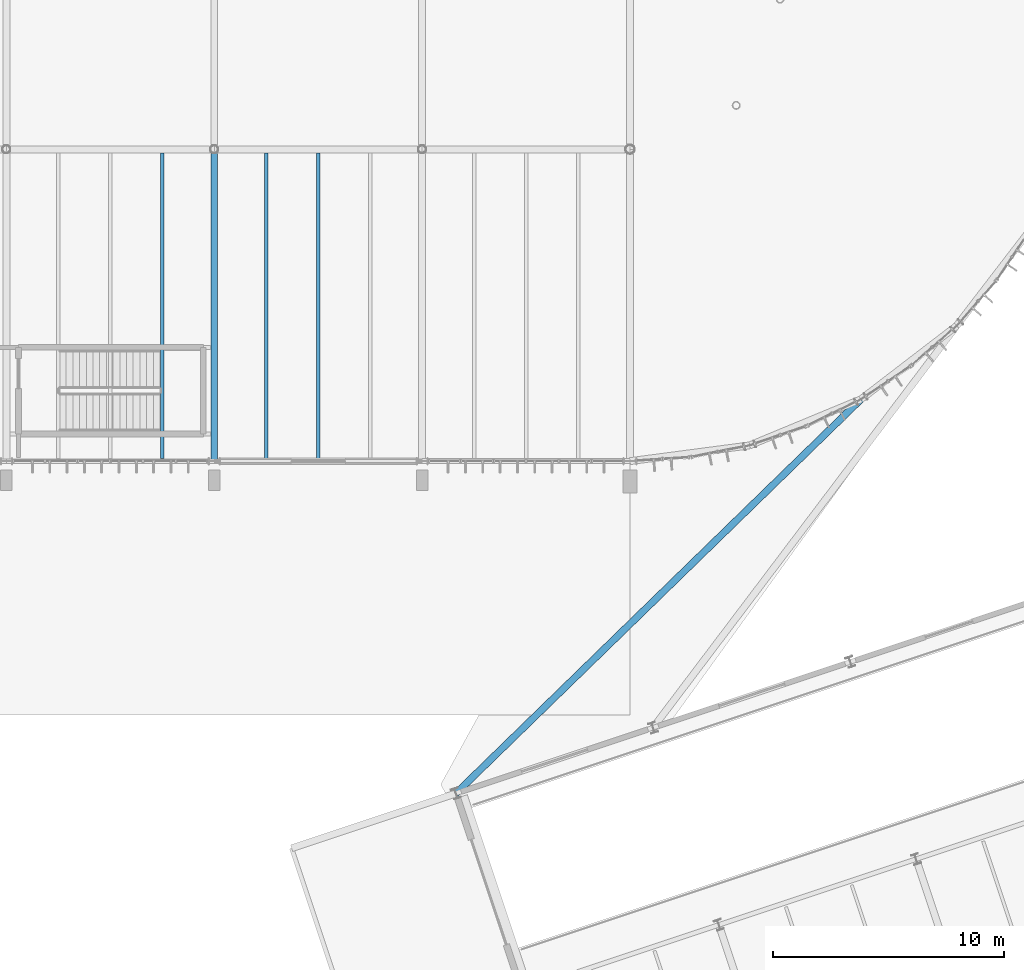
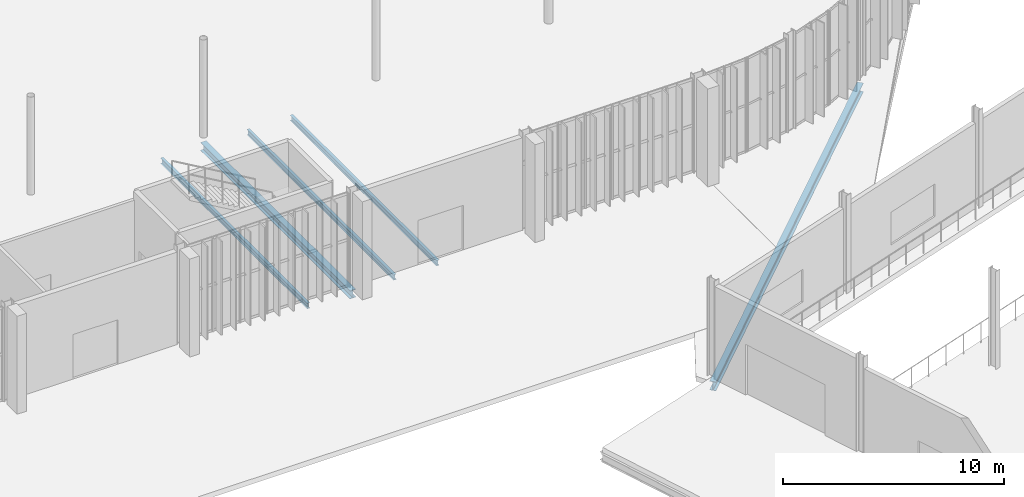
# One storey, part 44 of 158: 5 beams.
"""IFC4 building model written with IfcOpenShell, lengths in metres."""

from ifc_helpers import new_model, si_unit, derived_unit, direction, frame, origin, origin_2d, place, context, subcontext, project, spatial, i_section, extrude, material, material_profile, profile_set, type_object, element, save


model = new_model("IFC4")

# Units and contexts
model_context = context("Model", 3, precision=1e-05, world=origin(), true_north=direction((0.0, 1.0)))
body_context = subcontext(model_context, "Body", "Model", "MODEL_VIEW")
ifc_project = project(units=[si_unit("LENGTHUNIT", "METRE"), si_unit("AREAUNIT", "SQUARE_METRE"), si_unit("VOLUMEUNIT", "CUBIC_METRE"), si_unit("PLANEANGLEUNIT", "RADIAN"), si_unit("MASSUNIT", "GRAM", prefix="KILO"), si_unit("THERMODYNAMICTEMPERATUREUNIT", "KELVIN"), si_unit("TIMEUNIT", "SECOND"), derived_unit("THERMALTRANSMITTANCEUNIT", [(si_unit("MASSUNIT", "GRAM", prefix="KILO"), 1), (si_unit("THERMODYNAMICTEMPERATUREUNIT", "KELVIN"), -1), (si_unit("TIMEUNIT", "SECOND"), -3)])], contexts=[model_context])

# Site, building, storey
site_placement = place(None, origin())
site = spatial("IfcSite", under=ifc_project, at=site_placement, CompositionType="ELEMENT")
building_placement = place(site_placement, origin())
building = spatial("IfcBuilding", under=site, at=building_placement, Name="Cambertide Market Hall", CompositionType="ELEMENT")
storey_placement = place(building_placement, origin())
storey = spatial("IfcBuildingStorey", under=building, at=storey_placement, Name="L01", CompositionType="ELEMENT", Elevation=0.0)

# Beams
ifc_material_1 = material(Name="Steel S355", Category="steel")
ifc_material_profile_1 = material_profile(ifc_material_1, i_section(OverallWidth=0.300048828125, OverallDepth=0.5, WebThickness=0.014404296875, FlangeThickness=0.028076171875, FilletRadius=0.027099609375, at=origin_2d()), Name="HEB 500")
ifc_profile_set_1 = profile_set([ifc_material_profile_1], Name="Steel S355")
beam_type_1 = type_object("IfcBeamType", Name="Exterior Steel Girder HEB 500", PredefinedType="BEAM", material=ifc_profile_set_1)
beam_1_placement = place(storey_placement, frame((115.0, 54.679443359375, -0.544921875), z_axis=(-0.716708410082, -0.697372966868, 0.0), x_axis=(0.697372966868, -0.716708410082, 0.0)))
element("IfcBeam", 1, at=beam_1_placement, inside=storey, type_object=beam_type_1, Name="Level 1 Beam TIE-V1V3-1", PredefinedType="BEAM", context=body_context, shape_type="SweptSolid", body=[
    extrude(i_section(OverallWidth=0.300048828125, OverallDepth=0.5, WebThickness=0.014404296875, FlangeThickness=0.028076171875, FilletRadius=0.027099609375, at=origin_2d()), origin(), (0.0, 0.0, 1.0), 24.47021484375),
])
ifc_material_2 = material(Name="Steel S355", Category="steel")
ifc_material_profile_2 = material_profile(ifc_material_2, i_section(OverallWidth=0.300048828125, OverallDepth=0.449951171875, WebThickness=0.013916015625, FlangeThickness=0.02587890625, FilletRadius=0.027099609375, at=origin_2d()), Name="HEB 450")
ifc_profile_set_2 = profile_set([ifc_material_profile_2], Name="Steel S355")
beam_type_2 = type_object("IfcBeamType", Name="Steel Girder HEB 450", PredefinedType="BEAM", material=ifc_profile_set_2)
beam_2_placement = place(storey_placement, frame((87.0, 52.0, -0.534912109375), z_axis=(0.0, 1.0, 0.0), x_axis=(-1.0, 0.0, 0.0)))
element("IfcBeam", 2, at=beam_2_placement, inside=storey, type_object=beam_type_2, Name="Level 1 Beam BM-V1TS-L01-6", PredefinedType="BEAM", context=body_context, shape_type="SweptSolid", body=[
    extrude(i_section(OverallWidth=0.300048828125, OverallDepth=0.449951171875, WebThickness=0.013916015625, FlangeThickness=0.02587890625, FilletRadius=0.027099609375, at=origin_2d()), origin(), (0.0, 0.0, 1.0), 13.5),
])
ifc_material_3 = material(Name="Steel S275", Category="steel")
ifc_material_profile_3 = material_profile(ifc_material_3, i_section(OverallWidth=0.14990234375, OverallDepth=0.300048828125, WebThickness=0.007080078125, FlangeThickness=0.0107421875, FilletRadius=0.014892578125, at=origin_2d()), Name="IPE 300")
ifc_profile_set_3 = profile_set([ifc_material_profile_3], Name="Steel S275")
beam_type_3 = type_object("IfcBeamType", Name="Steel Secondary Joist IPE 300", PredefinedType="JOIST", material=ifc_profile_set_3)
for number, where, z_axis, x_axis, name in (
    (3, (84.75, 52.10791015625, -0.4599609375), (0.0, 1.0, 0.0), (-1.0, 0.0, 0.0), "Level 1 Joist JS-V1S-L01-5-3"),
    (4, (89.25, 52.10791015625, -0.4599609375), (0.0, 1.0, 0.0), (-1.0, 0.0, 0.0), "Level 1 Joist JS-V1S-L01-6-1"),
    (5, (91.5, 52.10791015625, -0.4599609375), (0.0, 1.0, 0.0), (-1.0, 0.0, 0.0), "Level 1 Joist JS-V1S-L01-6-2"),
):
    element("IfcBeam", number, at=place(storey_placement, frame(where, z_axis=z_axis, x_axis=x_axis)), inside=storey, type_object=beam_type_3, Name=name, PredefinedType="JOIST", context=body_context, shape_type="SweptSolid", body=[
        extrude(i_section(OverallWidth=0.14990234375, OverallDepth=0.300048828125, WebThickness=0.007080078125, FlangeThickness=0.0107421875, FilletRadius=0.014892578125, at=origin_2d()), origin(), (0.0, 0.0, 1.0), 13.234130859375),
    ])

save(model, "model.ifc")
